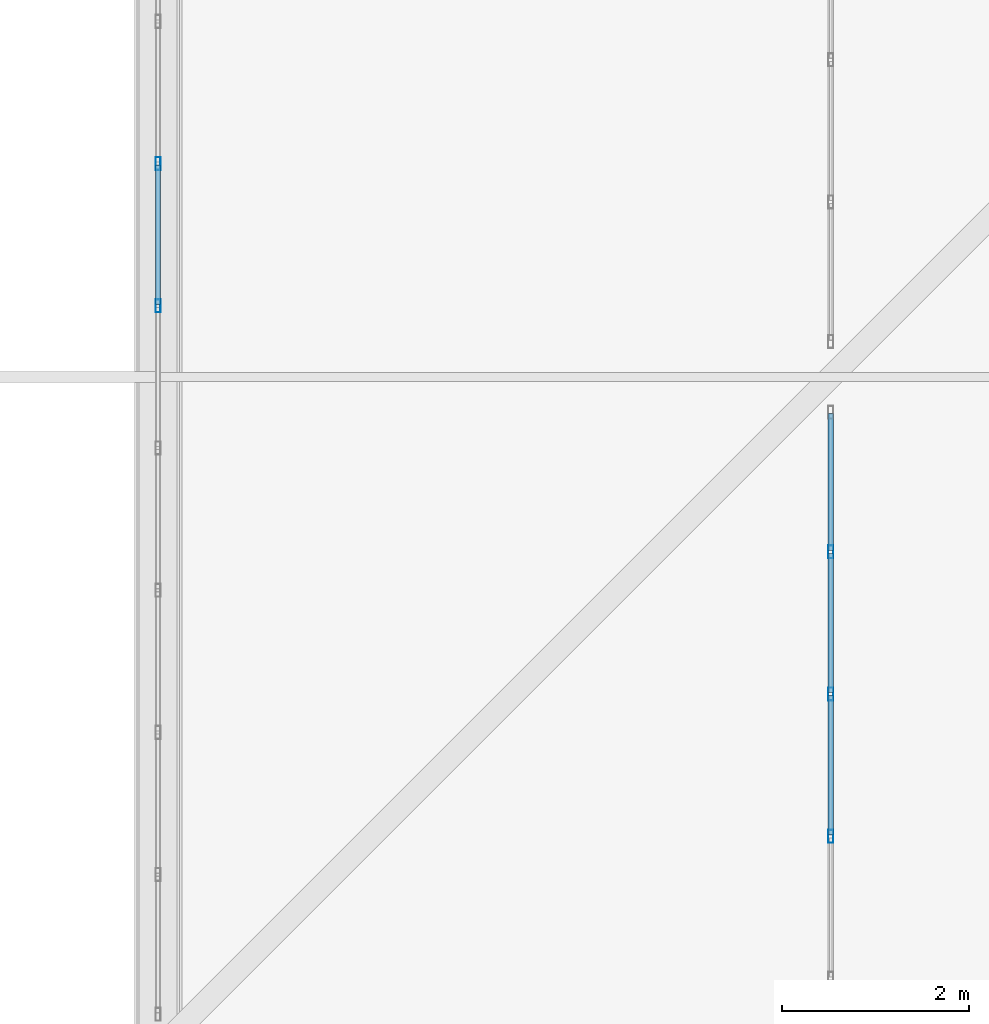
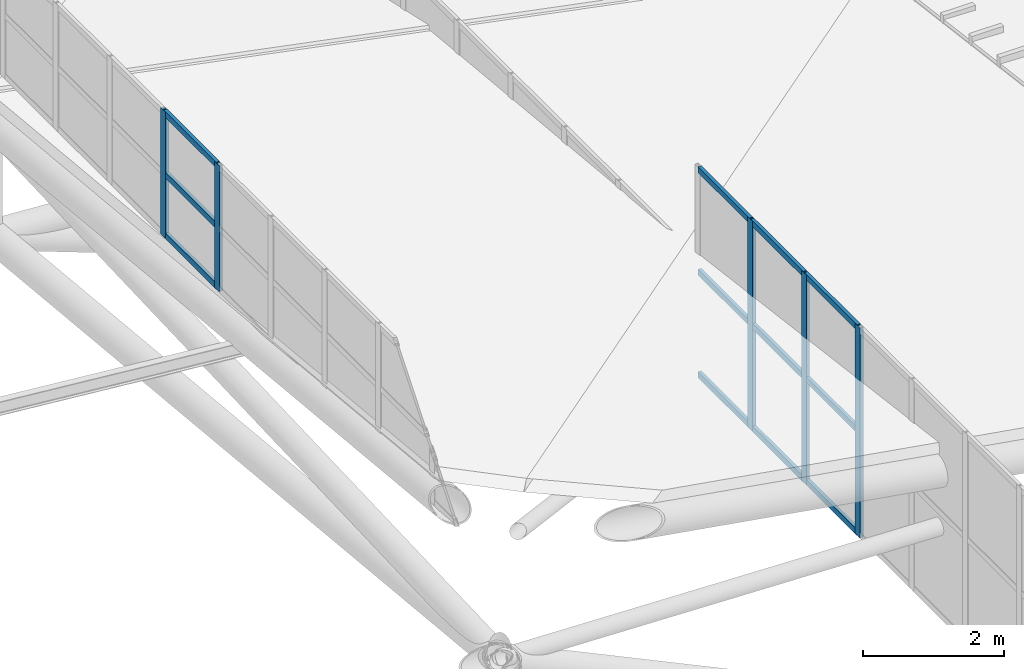
# One storey, part 292 of 397: 17 members, 2 elements without a shape of their own.
"""IFC4 building model written with IfcOpenShell, lengths in metres."""

from ifc_helpers import new_model, si_unit, direction, frame, origin, origin_2d, place, context, subcontext, project, spatial, hollow_rectangle, extrude, material, material_profile, profile_set, type_object, element, aggregate, save


model = new_model("IFC4")

# Units and contexts
model_context = context("Model", 3, precision=1e-05, world=origin(), true_north=direction((0.0, 1.0)))
body_context = subcontext(model_context, "Body", "Model", "MODEL_VIEW")
ifc_project = project(units=[si_unit("LENGTHUNIT", "METRE"), si_unit("AREAUNIT", "SQUARE_METRE"), si_unit("VOLUMEUNIT", "CUBIC_METRE"), si_unit("PLANEANGLEUNIT", "RADIAN"), si_unit("MASSUNIT", "GRAM", prefix="KILO")], contexts=[model_context])

# Site, building, storey
site_placement = place(None, origin())
site = spatial("IfcSite", under=ifc_project, at=site_placement, CompositionType="ELEMENT")
building_placement = place(site_placement, origin())
building = spatial("IfcBuilding", under=site, at=building_placement, Name="Qandorah Velis Arena", CompositionType="ELEMENT")
storey_placement = place(building_placement, frame((0.0, 0.0, 27.5)))
storey = spatial("IfcBuildingStorey", under=building, at=storey_placement, Name="RF", CompositionType="ELEMENT", Elevation=27.5)

# Curtain wall, members
ifc_material_1 = material(Name="Solar-control low-E double glazing", Category="glass")
curtain_wall_type_1 = type_object("IfcCurtainWallType", Name="ARC-CW-SYS17", PredefinedType="USERDEFINED", material=ifc_material_1)
curtain_wall_1_placement = place(storey_placement, origin())
curtain_wall_1 = element("IfcCurtainWall", 1, at=curtain_wall_1_placement, inside=storey, type_object=curtain_wall_type_1, Name="Unitised curtain wall MON-2-5", ObjectType="UNITISED CURTAIN WALL", PredefinedType="USERDEFINED")
ifc_material_2 = material(Name="Champagne-bronze anodized aluminium 6063-T6", Category="aluminium")
ifc_material_profile_1 = material_profile(ifc_material_2, hollow_rectangle(XDim=0.054931640625, YDim=0.139892578125, WallThickness=0.0029296875, at=origin_2d()), Name="ALU MULLION 55x140")
ifc_profile_set_1 = profile_set([ifc_material_profile_1], Name="Champagne-bronze anodized aluminium 6063-T6")
member_type_1 = type_object("IfcMemberType", Name="ARC-CWM-140", PredefinedType="MULLION", material=ifc_profile_set_1)
member_1_placement = place(storey_placement, frame((108.0, 88.683349609375, 5.13427734375), z_axis=(0.0, 0.0, 1.0), x_axis=(-1.0, 0.0, 0.0)))
member_1 = element("IfcMember", 2, at=member_1_placement, type_object=member_type_1, Name="CW17 mullion 7", PredefinedType="MULLION", context=body_context, shape_type="SweptSolid", body=[
    extrude(hollow_rectangle(XDim=0.054931640625, YDim=0.139892578125, WallThickness=0.0029296875, at=origin_2d()), origin(), (0.0, 0.0, 1.0), 3.630126953125),
])
member_2_placement = place(storey_placement, frame((108.0, 90.20556640625, 5.13427734375), z_axis=(0.0, 0.0, 1.0), x_axis=(-1.0, 0.0, 0.0)))
member_2 = element("IfcMember", 3, at=member_2_placement, type_object=member_type_1, Name="CW17 mullion 8", PredefinedType="MULLION", context=body_context, shape_type="SweptSolid", body=[
    extrude(hollow_rectangle(XDim=0.054931640625, YDim=0.139892578125, WallThickness=0.0029296875, at=origin_2d()), origin(), (0.0, 0.0, 1.0), 3.630126953125),
])
member_3_placement = place(storey_placement, frame((108.0, 91.727783203125, 5.13427734375), z_axis=(0.0, 0.0, 1.0), x_axis=(-1.0, 0.0, 0.0)))
member_3 = element("IfcMember", 4, at=member_3_placement, type_object=member_type_1, Name="CW17 mullion 9", PredefinedType="MULLION", context=body_context, shape_type="SweptSolid", body=[
    extrude(hollow_rectangle(XDim=0.054931640625, YDim=0.139892578125, WallThickness=0.0029296875, at=origin_2d()), origin(), (0.0, 0.0, 1.0), 3.630126953125),
])

curtain_wall_type_2 = type_object("IfcCurtainWallType", Name="ARC-CW-SYS15", PredefinedType="USERDEFINED", material=ifc_material_1)
curtain_wall_2_placement = place(storey_placement, origin())
curtain_wall_2 = element("IfcCurtainWall", 5, at=curtain_wall_2_placement, inside=storey, type_object=curtain_wall_type_2, Name="Unitised curtain wall OCULUS-2-5", ObjectType="UNITISED CURTAIN WALL", PredefinedType="USERDEFINED")
member_4_placement = place(storey_placement, frame((100.800048828125, 94.361083984375, 8.470947265625), z_axis=(0.0, 0.0, 1.0), x_axis=(-1.0, 0.0, 0.0)))
member_4 = element("IfcMember", 6, at=member_4_placement, type_object=member_type_1, Name="CW15 mullion 6", PredefinedType="MULLION", context=body_context, shape_type="SweptSolid", body=[
    extrude(hollow_rectangle(XDim=0.054931640625, YDim=0.139892578125, WallThickness=0.0029296875, at=origin_2d()), origin(), (0.0, 0.0, 1.0), 2.179931640625),
])
member_5_placement = place(storey_placement, frame((100.800048828125, 95.88330078125, 8.470947265625), z_axis=(0.0, 0.0, 1.0), x_axis=(-1.0, 0.0, 0.0)))
member_5 = element("IfcMember", 7, at=member_5_placement, type_object=member_type_1, Name="CW15 mullion 7", PredefinedType="MULLION", context=body_context, shape_type="SweptSolid", body=[
    extrude(hollow_rectangle(XDim=0.054931640625, YDim=0.139892578125, WallThickness=0.0029296875, at=origin_2d()), origin(), (0.0, 0.0, 1.0), 2.179931640625),
])

# Member
ifc_material_profile_2 = material_profile(ifc_material_2, hollow_rectangle(XDim=0.054931640625, YDim=0.10009765625, WallThickness=0.0029296875, at=origin_2d()), Name="ALU TRANSOM 55x100")
ifc_profile_set_2 = profile_set([ifc_material_profile_2], Name="Champagne-bronze anodized aluminium 6063-T6")
member_type_2 = type_object("IfcMemberType", Name="ARC-CWT-100", PredefinedType="USERDEFINED", material=ifc_profile_set_2)
member_6_placement = place(storey_placement, frame((108.0, 88.69873046875, 5.1767578125), z_axis=(0.0, 1.0, 0.0), x_axis=(-1.0, 0.0, 0.0)))
member_6 = element("IfcMember", 8, at=member_6_placement, type_object=member_type_2, Name="CW17 transom 7.1", ObjectType="TRANSOM", PredefinedType="USERDEFINED", context=body_context, shape_type="SweptSolid", body=[
    extrude(hollow_rectangle(XDim=0.054931640625, YDim=0.10009765625, WallThickness=0.0029296875, at=origin_2d()), origin(), (0.0, 0.0, 1.0), 1.491455078125),
])

member_7_placement = place(storey_placement, frame((108.0, 88.69873046875, 6.94921875), z_axis=(0.0, 1.0, 0.0), x_axis=(-1.0, 0.0, 0.0)))
member_7 = element("IfcMember", 9, at=member_7_placement, type_object=member_type_2, Name="CW17 transom 7.2", ObjectType="TRANSOM", PredefinedType="USERDEFINED", context=body_context, shape_type="SweptSolid", body=[
    extrude(hollow_rectangle(XDim=0.054931640625, YDim=0.10009765625, WallThickness=0.0029296875, at=origin_2d()), origin(), (0.0, 0.0, 1.0), 1.491455078125),
])

member_8_placement = place(storey_placement, frame((108.0, 88.69873046875, 8.7216796875), z_axis=(0.0, 1.0, 0.0), x_axis=(-1.0, 0.0, 0.0)))
member_8 = element("IfcMember", 10, at=member_8_placement, type_object=member_type_2, Name="CW17 transom 7.3", ObjectType="TRANSOM", PredefinedType="USERDEFINED", context=body_context, shape_type="SweptSolid", body=[
    extrude(hollow_rectangle(XDim=0.054931640625, YDim=0.10009765625, WallThickness=0.0029296875, at=origin_2d()), origin(), (0.0, 0.0, 1.0), 1.491455078125),
])

member_9_placement = place(storey_placement, frame((108.0, 90.22119140625, 5.1767578125), z_axis=(0.0, 1.0, 0.0), x_axis=(-1.0, 0.0, 0.0)))
member_9 = element("IfcMember", 11, at=member_9_placement, type_object=member_type_2, Name="CW17 transom 8.1", ObjectType="TRANSOM", PredefinedType="USERDEFINED", context=body_context, shape_type="SweptSolid", body=[
    extrude(hollow_rectangle(XDim=0.054931640625, YDim=0.10009765625, WallThickness=0.0029296875, at=origin_2d()), origin(), (0.0, 0.0, 1.0), 1.4912109375),
])

member_10_placement = place(storey_placement, frame((108.0, 90.22119140625, 6.94921875), z_axis=(0.0, 1.0, 0.0), x_axis=(-1.0, 0.0, 0.0)))
member_10 = element("IfcMember", 12, at=member_10_placement, type_object=member_type_2, Name="CW17 transom 8.2", ObjectType="TRANSOM", PredefinedType="USERDEFINED", context=body_context, shape_type="SweptSolid", body=[
    extrude(hollow_rectangle(XDim=0.054931640625, YDim=0.10009765625, WallThickness=0.0029296875, at=origin_2d()), origin(), (0.0, 0.0, 1.0), 1.4912109375),
])

member_11_placement = place(storey_placement, frame((108.0, 90.22119140625, 8.7216796875), z_axis=(0.0, 1.0, 0.0), x_axis=(-1.0, 0.0, 0.0)))
member_11 = element("IfcMember", 13, at=member_11_placement, type_object=member_type_2, Name="CW17 transom 8.3", ObjectType="TRANSOM", PredefinedType="USERDEFINED", context=body_context, shape_type="SweptSolid", body=[
    extrude(hollow_rectangle(XDim=0.054931640625, YDim=0.10009765625, WallThickness=0.0029296875, at=origin_2d()), origin(), (0.0, 0.0, 1.0), 1.4912109375),
])

member_12_placement = place(storey_placement, frame((108.0, 91.743408203125, 5.1767578125), z_axis=(0.0, 1.0, 0.0), x_axis=(-1.0, 0.0, 0.0)))
member_12 = element("IfcMember", 14, at=member_12_placement, type_object=member_type_2, Name="CW17 transom 9.1", ObjectType="TRANSOM", PredefinedType="USERDEFINED", context=body_context, shape_type="SweptSolid", body=[
    extrude(hollow_rectangle(XDim=0.054931640625, YDim=0.10009765625, WallThickness=0.0029296875, at=origin_2d()), origin(), (0.0, 0.0, 1.0), 1.463623046875),
])

member_13_placement = place(storey_placement, frame((108.0, 91.743408203125, 6.94921875), z_axis=(0.0, 1.0, 0.0), x_axis=(-1.0, 0.0, 0.0)))
member_13 = element("IfcMember", 15, at=member_13_placement, type_object=member_type_2, Name="CW17 transom 9.2", ObjectType="TRANSOM", PredefinedType="USERDEFINED", context=body_context, shape_type="SweptSolid", body=[
    extrude(hollow_rectangle(XDim=0.054931640625, YDim=0.10009765625, WallThickness=0.0029296875, at=origin_2d()), origin(), (0.0, 0.0, 1.0), 1.463623046875),
])

member_14_placement = place(storey_placement, frame((108.0, 91.743408203125, 8.7216796875), z_axis=(0.0, 1.0, 0.0), x_axis=(-1.0, 0.0, 0.0)))
member_14 = element("IfcMember", 16, at=member_14_placement, type_object=member_type_2, Name="CW17 transom 9.3", ObjectType="TRANSOM", PredefinedType="USERDEFINED", context=body_context, shape_type="SweptSolid", body=[
    extrude(hollow_rectangle(XDim=0.054931640625, YDim=0.10009765625, WallThickness=0.0029296875, at=origin_2d()), origin(), (0.0, 0.0, 1.0), 1.463623046875),
])

aggregate(curtain_wall_1, [member_1, member_2, member_3, member_6, member_7, member_8, member_9, member_10, member_11, member_12, member_13, member_14])

member_15_placement = place(storey_placement, frame((100.800048828125, 94.376708984375, 8.513427734375), z_axis=(0.0, 1.0, 0.0), x_axis=(-1.0, 0.0, 0.0)))
member_15 = element("IfcMember", 17, at=member_15_placement, type_object=member_type_2, Name="CW15 transom 6.1", ObjectType="TRANSOM", PredefinedType="USERDEFINED", context=body_context, shape_type="SweptSolid", body=[
    extrude(hollow_rectangle(XDim=0.054931640625, YDim=0.10009765625, WallThickness=0.0029296875, at=origin_2d()), origin(), (0.0, 0.0, 1.0), 1.4912109375),
])

member_16_placement = place(storey_placement, frame((100.800048828125, 94.376708984375, 9.56103515625), z_axis=(0.0, 1.0, 0.0), x_axis=(-1.0, 0.0, 0.0)))
member_16 = element("IfcMember", 18, at=member_16_placement, type_object=member_type_2, Name="CW15 transom 6.2", ObjectType="TRANSOM", PredefinedType="USERDEFINED", context=body_context, shape_type="SweptSolid", body=[
    extrude(hollow_rectangle(XDim=0.054931640625, YDim=0.10009765625, WallThickness=0.0029296875, at=origin_2d()), origin(), (0.0, 0.0, 1.0), 1.4912109375),
])

member_17_placement = place(storey_placement, frame((100.800048828125, 94.376708984375, 10.6083984375), z_axis=(0.0, 1.0, 0.0), x_axis=(-1.0, 0.0, 0.0)))
member_17 = element("IfcMember", 19, at=member_17_placement, type_object=member_type_2, Name="CW15 transom 6.3", ObjectType="TRANSOM", PredefinedType="USERDEFINED", context=body_context, shape_type="SweptSolid", body=[
    extrude(hollow_rectangle(XDim=0.054931640625, YDim=0.10009765625, WallThickness=0.0029296875, at=origin_2d()), origin(), (0.0, 0.0, 1.0), 1.4912109375),
])

aggregate(curtain_wall_2, [member_4, member_5, member_15, member_16, member_17])

save(model, "model.ifc")
